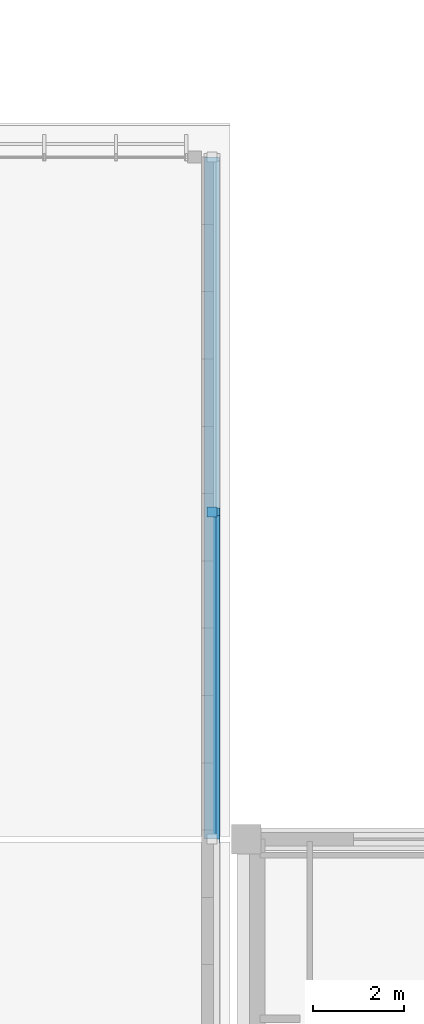
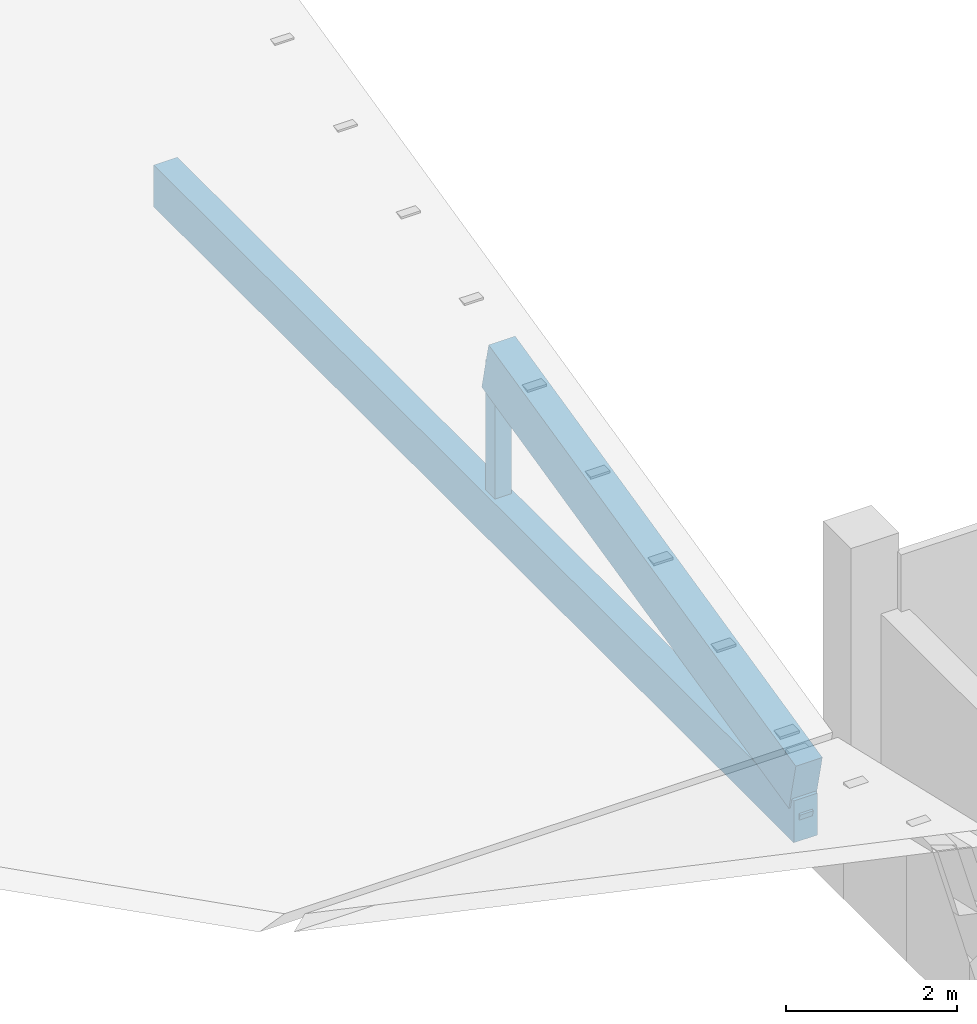
# One storey, part 62 of 182: 4 members.
"""IFC4 building model written with IfcOpenShell, lengths in metres."""

from ifc_helpers import new_model, si_unit, direction, frame, origin, origin_2d, place, context, subcontext, project, spatial, rectangle, extrude, material, material_profile, profile_set, type_object, element, save


model = new_model("IFC4")

# Units and contexts
model_context = context("Model", 3, precision=1e-05, world=origin(), true_north=direction((0.0, 1.0)))
body_context = subcontext(model_context, "Body", "Model", "MODEL_VIEW")
ifc_project = project(units=[si_unit("LENGTHUNIT", "METRE"), si_unit("AREAUNIT", "SQUARE_METRE"), si_unit("VOLUMEUNIT", "CUBIC_METRE"), si_unit("PLANEANGLEUNIT", "RADIAN"), si_unit("MASSUNIT", "GRAM", prefix="KILO")], contexts=[model_context])

# Site, building, storey
site_placement = place(None, origin())
site = spatial("IfcSite", under=ifc_project, at=site_placement, CompositionType="ELEMENT")
building_placement = place(site_placement, origin())
building = spatial("IfcBuilding", under=site, at=building_placement, Name="Chiffa Square Polytechnic", CompositionType="ELEMENT")
storey_placement = place(building_placement, frame((0.0, 0.0, 9.60009765625)))
storey = spatial("IfcBuildingStorey", under=building, at=storey_placement, Name="L02", CompositionType="ELEMENT", Elevation=9.60009765625)

# Members
ifc_material_1 = material(Name="Glulam GL32c", Category="wood")
ifc_material_profile_1 = material_profile(ifc_material_1, rectangle(XDim=0.320068359375, YDim=0.60009765625, at=origin_2d()), Name="GL32c 320x600")
ifc_profile_set_1 = profile_set([ifc_material_profile_1], Name="Glulam GL32c")
member_type_1 = type_object("IfcMemberType", Name="MEM-CHORD-GL320", PredefinedType="CHORD", material=ifc_profile_set_1)
member_1_placement = place(storey_placement, frame((111.449951171875, 28.800048828125, 0.2998046875), z_axis=(0.0, 1.0, 0.0), x_axis=(-1.0, 0.0, 0.0)))
element("IfcMember", 1, at=member_1_placement, inside=storey, type_object=member_type_1, Name="Refectory butterfly bottom chord TCB-V4-N08", PredefinedType="CHORD", context=body_context, shape_type="SweptSolid", body=[
    extrude(rectangle(XDim=0.320068359375, YDim=0.60009765625, at=origin_2d()), origin(), (0.0, 0.0, 1.0), 15.0),
])
ifc_material_profile_2 = material_profile(ifc_material_1, rectangle(XDim=0.360107421875, YDim=0.719970703125, at=origin_2d()), Name="GL32c 360x720")
ifc_profile_set_2 = profile_set([ifc_material_profile_2], Name="Glulam GL32c")
member_type_2 = type_object("IfcMemberType", Name="MEM-CHORD-GL360", PredefinedType="CHORD", material=ifc_profile_set_2)
member_2_placement = place(storey_placement, frame((111.449951171875, 28.800048828125, 0.7998046875), z_axis=(0.0, 0.974373930506, 0.224934309412), x_axis=(-1.0, 0.0, 0.0)))
element("IfcMember", 2, at=member_2_placement, inside=storey, type_object=member_type_2, Name="Refectory butterfly top chord TCT-V4-N08-1", PredefinedType="CHORD", context=body_context, shape_type="SweptSolid", body=[
    extrude(rectangle(XDim=0.360107421875, YDim=0.719970703125, at=origin_2d()), origin(), (0.0, 0.0, 1.0), 7.389404296875),
])
ifc_material_2 = material(Name="Glulam GL28h", Category="wood")
ifc_material_profile_3 = material_profile(ifc_material_2, rectangle(XDim=0.179931640625, YDim=0.179931640625, at=origin_2d()), Name="GL28h 180x180")
ifc_profile_set_3 = profile_set([ifc_material_profile_3], Name="Glulam GL28h")
member_type_3 = type_object("IfcMemberType", Name="MEM-WEB-GL180", PredefinedType="MEMBER", material=ifc_profile_set_3)
member_3_placement = place(storey_placement, frame((111.449951171875, 28.800048828125, 0.2998046875), z_axis=(0.0, 0.957748486613, 0.287607086821), x_axis=(-1.0, 0.0, 0.0)))
element("IfcMember", 3, at=member_3_placement, inside=storey, type_object=member_type_3, Name="Refectory butterfly diagonal TWD-V4-N08-1", PredefinedType="MEMBER", context=body_context, shape_type="SweptSolid", body=[
    extrude(rectangle(XDim=0.179931640625, YDim=0.179931640625, at=origin_2d()), origin(), (0.0, 0.0, 1.0), 7.517578125),
])
ifc_material_profile_4 = material_profile(ifc_material_2, rectangle(XDim=0.219970703125, YDim=0.219970703125, at=origin_2d()), Name="GL28h 220x220")
ifc_profile_set_4 = profile_set([ifc_material_profile_4], Name="Glulam GL28h")
member_type_4 = type_object("IfcMemberType", Name="MEM-WEB-GL220", PredefinedType="MEMBER", material=ifc_profile_set_4)
member_4_placement = place(storey_placement, frame((111.449951171875, 36.0, 0.2998046875), z_axis=(0.0, 0.0, 1.0), x_axis=(1.0, 0.0, 0.0)))
element("IfcMember", 4, at=member_4_placement, inside=storey, type_object=member_type_4, Name="Refectory butterfly mid vertical TWV-V4-N08-M", PredefinedType="MEMBER", context=body_context, shape_type="SweptSolid", body=[
    extrude(rectangle(XDim=0.219970703125, YDim=0.219970703125, at=origin_2d()), origin(), (0.0, 0.0, 1.0), 2.162109375),
])

save(model, "model.ifc")
